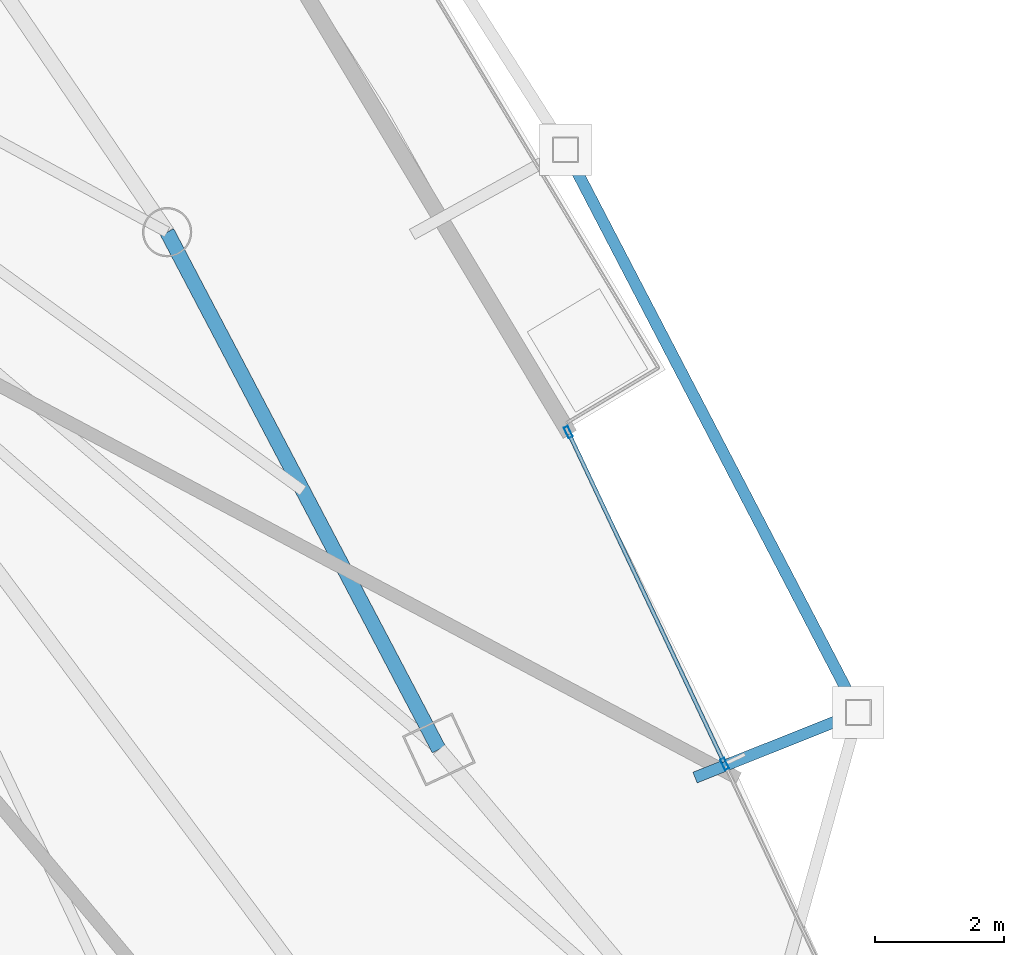
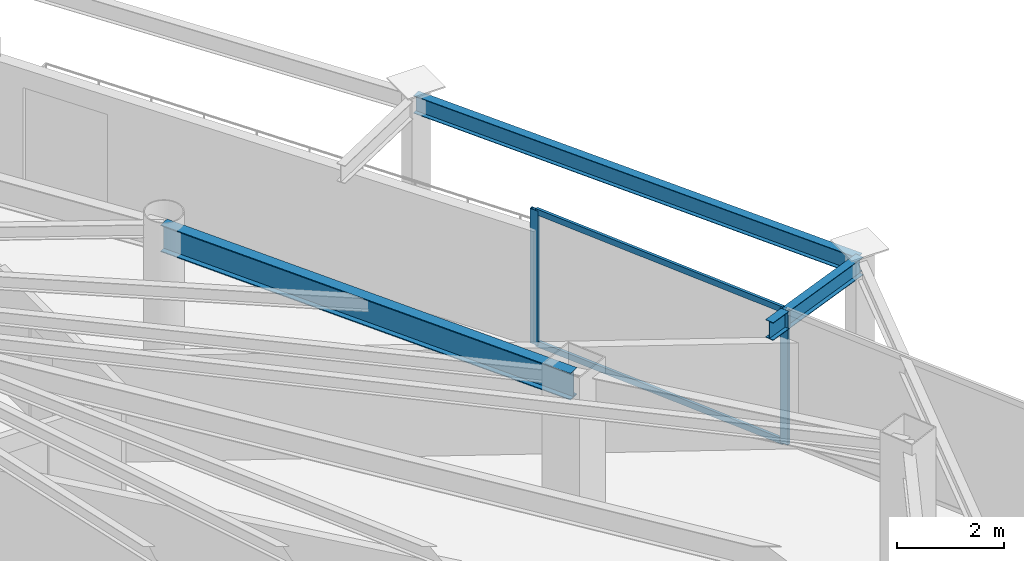
# One storey, part 17 of 31: 4 members, 3 beams, 1 element without a shape of its own.
"""IFC4 building model written with IfcOpenShell, lengths in metres."""

from ifc_helpers import new_model, si_unit, direction, frame, origin, origin_2d, place, context, subcontext, project, spatial, hollow_rectangle, i_section, extrude, material, layer, layer_set, material_profile, profile_set, type_object, element, aggregate, save


model = new_model("IFC4")

# Units and contexts
model_context = context("Model", 3, precision=1e-05, world=origin(), true_north=direction((0.0, 1.0)))
body_context = subcontext(model_context, "Body", "Model", "MODEL_VIEW")
ifc_project = project(units=[si_unit("LENGTHUNIT", "METRE"), si_unit("AREAUNIT", "SQUARE_METRE"), si_unit("VOLUMEUNIT", "CUBIC_METRE"), si_unit("PLANEANGLEUNIT", "RADIAN"), si_unit("MASSUNIT", "GRAM", prefix="KILO")], contexts=[model_context])

# Site, building, storey
site_placement = place(None, origin())
site = spatial("IfcSite", under=ifc_project, at=site_placement, CompositionType="ELEMENT")
building_placement = place(site_placement, origin())
building = spatial("IfcBuilding", under=site, at=building_placement, Name="Orvanel Arch Residences", CompositionType="ELEMENT")
storey_placement = place(building_placement, frame((0.0, 0.0, 133.10009765625)))
storey = spatial("IfcBuildingStorey", under=building, at=storey_placement, Name="L37", CompositionType="ELEMENT", Elevation=133.10009765625)

# Curtain wall, members
ifc_material_1 = material(Name="Bronze-anodised aluminium AA6063-T6", Category="aluminium")
ifc_layer = layer(ifc_material_1, 0.179931640625)
ifc_layer_set = layer_set([ifc_layer], Name="Bronze-anodised aluminium AA6063-T6")
curtain_wall_type = type_object("IfcCurtainWallType", Name="CW3-MID-SYS", PredefinedType="NOTDEFINED", material=ifc_layer_set)
curtain_wall_placement = place(storey_placement, origin())
curtain_wall = element("IfcCurtainWall", 1, at=curtain_wall_placement, inside=storey, type_object=curtain_wall_type, Name="L37 CW3-MID-SYS Unitised Curtain Wall", PredefinedType="NOTDEFINED")
ifc_material_profile_1 = material_profile(ifc_material_1, hollow_rectangle(XDim=0.070068359375, YDim=0.179931640625, WallThickness=0.00439453125, at=origin_2d()), Name="ALU180x70x4.5")
ifc_profile_set_1 = profile_set([ifc_material_profile_1], Name="Bronze-anodised aluminium AA6063-T6")
member_type_1 = type_object("IfcMemberType", Name="MUL-180x70", PredefinedType="MULLION", material=ifc_profile_set_1)
member_1_placement = place(storey_placement, frame((54.050537109375, 19.41796875, 0.0), z_axis=(0.0, 0.0, 1.0), x_axis=(-0.904626023981, -0.426206237326, 0.0)))
member_1 = element("IfcMember", 2, at=member_1_placement, type_object=member_type_1, Name="CW-S3 mullion 2", PredefinedType="MULLION", context=body_context, shape_type="SweptSolid", body=[
    extrude(hollow_rectangle(XDim=0.070068359375, YDim=0.179931640625, WallThickness=0.00439453125, at=origin_2d()), origin(), (0.0, 0.0, 1.0), 3.059814453125),
])
member_2_placement = place(storey_placement, frame((51.6328125, 24.54931640625, 0.0), z_axis=(0.0, 0.0, 1.0), x_axis=(-0.904626023981, -0.426206237326, 0.0)))
member_2 = element("IfcMember", 3, at=member_2_placement, type_object=member_type_1, Name="CW-S3 mullion 3", PredefinedType="MULLION", context=body_context, shape_type="SweptSolid", body=[
    extrude(hollow_rectangle(XDim=0.070068359375, YDim=0.179931640625, WallThickness=0.00439453125, at=origin_2d()), origin(), (0.0, 0.0, 1.0), 3.059814453125),
])

# Beams
ifc_material_2 = material(Name="Structural steel AS/NZS 3679.1 Grade 300 (300 MPa)", Category="steel")
ifc_material_profile_2 = material_profile(ifc_material_2, i_section(OverallWidth=0.177978515625, OverallDepth=0.406005859375, WebThickness=0.0078125, FlangeThickness=0.0126953125, at=origin_2d()), Name="410UB59.7")
ifc_profile_set_2 = profile_set([ifc_material_profile_2], Name="Structural steel AS/NZS 3679.1 Grade 300 (300 MPa)")
beam_type_1 = type_object("IfcBeamType", Name="OB-410UB-EXT", PredefinedType="SPANDREL", material=ifc_profile_set_2)
beam_1_placement = place(storey_placement, frame((53.593017578125, 19.2080078125, 2.85693359375), z_axis=(0.928841685678, 0.370476885846, 0.0), x_axis=(-0.370476885846, 0.928841685678, 0.0)))
element("IfcBeam", 4, at=beam_1_placement, inside=storey, type_object=beam_type_1, Name="L37 Outer Frame Radial Tie Beam 09", PredefinedType="SPANDREL", context=body_context, shape_type="SweptSolid", body=[
    extrude(i_section(OverallWidth=0.177978515625, OverallDepth=0.406005859375, WebThickness=0.0078125, FlangeThickness=0.0126953125, at=origin_2d()), origin(), (0.0, 0.0, 1.0), 2.71826171875),
])
beam_2_placement = place(storey_placement, frame((56.117919921875, 20.215087890625, 2.85693359375), z_axis=(-0.461546353988, 0.887116093373, 0.0), x_axis=(-0.887116093373, -0.461546353988, 0.0)))
element("IfcBeam", 5, at=beam_2_placement, inside=storey, type_object=beam_type_1, Name="L37 Outer Perimeter Floor Ring Beam 09", PredefinedType="SPANDREL", context=body_context, shape_type="SweptSolid", body=[
    extrude(i_section(OverallWidth=0.177978515625, OverallDepth=0.406005859375, WebThickness=0.0078125, FlangeThickness=0.0126953125, at=origin_2d()), origin(), (0.0, 0.0, 1.0), 9.805908203125),
])
ifc_material_profile_3 = material_profile(ifc_material_2, i_section(OverallWidth=0.22900390625, OverallDepth=0.612060546875, WebThickness=0.011962890625, FlangeThickness=0.01953125, at=origin_2d()), Name="610UB125")
ifc_profile_set_3 = profile_set([ifc_material_profile_3], Name="Structural steel AS/NZS 3679.1 Grade 300 (300 MPa)")
beam_type_2 = type_object("IfcBeamType", Name="SP-610UB", PredefinedType="SPANDREL", material=ifc_profile_set_3)
beam_3_placement = place(storey_placement, frame((49.633056640625, 19.64208984375, 2.75390625), z_axis=(-0.465064762793, 0.885276660942, 0.0), x_axis=(-0.885276660942, -0.465064762793, 0.0)))
element("IfcBeam", 6, at=beam_3_placement, inside=storey, type_object=beam_type_2, Name="L37 Perimeter Spandrel Beam 11", PredefinedType="SPANDREL", context=body_context, shape_type="SweptSolid", body=[
    extrude(i_section(OverallWidth=0.22900390625, OverallDepth=0.612060546875, WebThickness=0.011962890625, FlangeThickness=0.01953125, at=origin_2d()), origin(), (0.0, 0.0, 1.0), 9.03564453125),
])

# Member
ifc_material_profile_4 = material_profile(ifc_material_1, hollow_rectangle(XDim=0.06005859375, YDim=0.135009765625, WallThickness=0.00390625, at=origin_2d()), Name="ALU135x60x4")
ifc_profile_set_4 = profile_set([ifc_material_profile_4], Name="Bronze-anodised aluminium AA6063-T6")
member_type_2 = type_object("IfcMemberType", Name="TRN-135x60", PredefinedType="USERDEFINED", material=ifc_profile_set_4)
member_3_placement = place(storey_placement, frame((54.03564453125, 19.44970703125, 0.02978515625), z_axis=(-0.426208344107, 0.904625031388, 0.0), x_axis=(-0.904625031388, -0.426208344107, 0.0)))
member_3 = element("IfcMember", 7, at=member_3_placement, type_object=member_type_2, Name="CW-S3 transom 2.1", ObjectType="TRANSOM", PredefinedType="USERDEFINED", context=body_context, shape_type="SweptSolid", body=[
    extrude(hollow_rectangle(XDim=0.06005859375, YDim=0.135009765625, WallThickness=0.00390625, at=origin_2d()), origin(), (0.0, 0.0, 1.0), 5.602294921875),
])

member_4_placement = place(storey_placement, frame((54.03564453125, 19.44970703125, 3.02978515625), z_axis=(-0.426208344107, 0.904625031388, 0.0), x_axis=(-0.904625031388, -0.426208344107, 0.0)))
member_4 = element("IfcMember", 8, at=member_4_placement, type_object=member_type_2, Name="CW-S3 transom 2.2", ObjectType="TRANSOM", PredefinedType="USERDEFINED", context=body_context, shape_type="SweptSolid", body=[
    extrude(hollow_rectangle(XDim=0.06005859375, YDim=0.135009765625, WallThickness=0.00390625, at=origin_2d()), origin(), (0.0, 0.0, 1.0), 5.602294921875),
])

aggregate(curtain_wall, [member_1, member_2, member_3, member_4])

save(model, "model.ifc")
